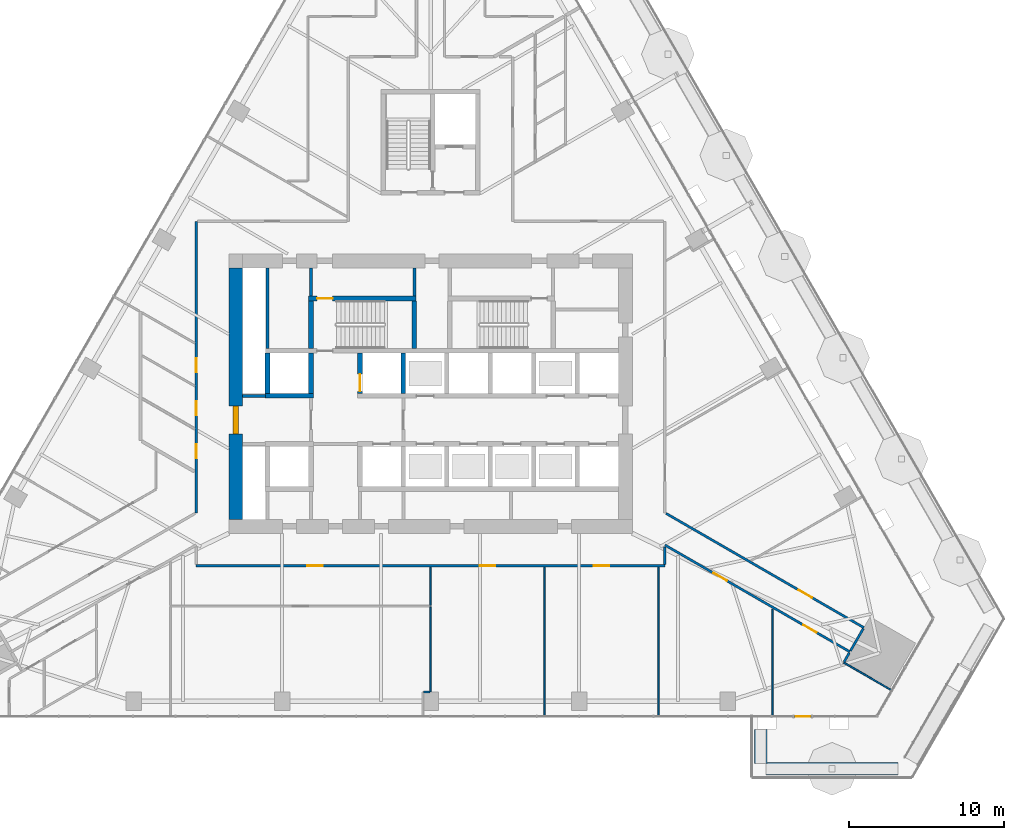
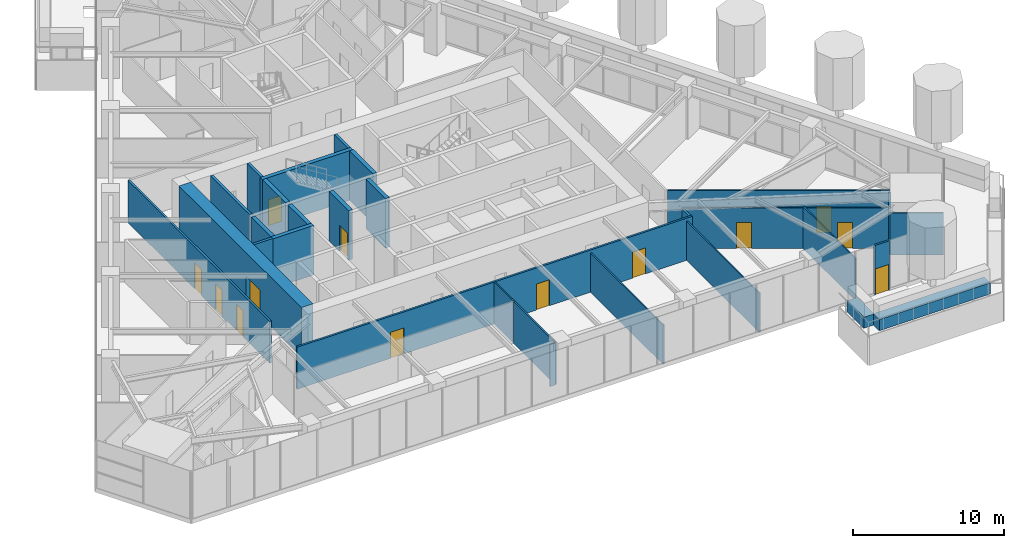
# One storey, part 18 of 26: 30 walls, 13 doors, 13 openings, 1 element without a shape of its own.
"""IFC4 building model written with IfcOpenShell, lengths in metres."""

from ifc_helpers import new_model, si_unit, direction, frame, frame_2d, origin, place, context, subcontext, project, spatial, rectangle, extrude, material, layer, layer_set, type_object, element, fill, aggregate, save


model = new_model("IFC4")

# Units and contexts
model_context = context("Model", 3, precision=1e-05, world=origin(), true_north=direction((0.0, 1.0)))
body_context = subcontext(model_context, "Body", "Model", "MODEL_VIEW")
ifc_project = project(units=[si_unit("LENGTHUNIT", "METRE"), si_unit("AREAUNIT", "SQUARE_METRE"), si_unit("VOLUMEUNIT", "CUBIC_METRE"), si_unit("PLANEANGLEUNIT", "RADIAN"), si_unit("MASSUNIT", "GRAM", prefix="KILO")], contexts=[model_context])

# Site, building, storey
site_placement = place(None, origin())
site = spatial("IfcSite", under=ifc_project, at=site_placement, CompositionType="ELEMENT")
building_placement = place(site_placement, origin())
building = spatial("IfcBuilding", under=site, at=building_placement, Name="Firuza Gate Tower and Library", CompositionType="ELEMENT")
storey_placement = place(building_placement, frame((0.0, 0.0, 52.60009765625)))
storey = spatial("IfcBuildingStorey", under=building, at=storey_placement, Name="L11", CompositionType="ELEMENT", Elevation=52.60009765625)

# Walls
ifc_material_1 = material(Name="Plasterboard on steel studs", Category="steel")
ifc_layer_1 = layer(ifc_material_1, 0.199951171875)
ifc_layer_set_1 = layer_set([ifc_layer_1], Name="Core partition 200 EI 120")
wall_type_1 = type_object("IfcWallType", Name="Core partition 200 EI 120", PredefinedType="PARTITIONING", material=ifc_layer_set_1)
wall_1_placement = place(storey_placement, frame((62.89990234375, 74.85009765625, 0.0), z_axis=(0.0, 0.0, 1.0), x_axis=(1.0, 0.0, 0.0)))
element("IfcWall", 1, at=wall_1_placement, inside=storey, type_object=wall_type_1, Name="Core partition L11 3", PredefinedType="PARTITIONING", context=body_context, shape_type="SweptSolid", body=[
    extrude(rectangle(XDim=1.4501953125, YDim=0.199951171875, at=frame_2d((0.72509765625, 0.0))), origin(), (0.0, 0.0, 1.0), 4.0),
])
wall_2_placement = place(storey_placement, frame((64.5, 77.89990234375, 0.0), z_axis=(0.0, 0.0, 1.0), x_axis=(0.0, 1.0, 0.0)))
element("IfcWall", 2, at=wall_2_placement, inside=storey, type_object=wall_type_1, Name="Core partition L11 6", PredefinedType="PARTITIONING", context=body_context, shape_type="SweptSolid", body=[
    extrude(rectangle(XDim=5.2001953125, YDim=0.199951171875, at=frame_2d((2.60009765625, 0.0))), origin(), (0.0, 0.0, 1.0), 4.0),
])
ifc_material_2 = material(Name="Plasterboard on steel studs", Category="steel")
ifc_layer_2 = layer(ifc_material_2, 0.199951171875)
ifc_layer_set_2 = layer_set([ifc_layer_2], Name="Core partition 200 EI 60")
wall_type_2 = type_object("IfcWallType", Name="Core partition 200 EI 60", PredefinedType="PARTITIONING", material=ifc_layer_set_2)
for number, where, z_axis, x_axis, name in (
    (3, (67.300048828125, 81.280029296875, 0.0), (0.0, 0.0, 1.0), (0.0, 1.0, 0.0), "Core partition L11 9"),
    (4, (73.9599609375, 81.280029296875, 0.0), (0.0, 0.0, 1.0), (0.0, 1.0, 0.0), "Core partition L11 13"),
):
    element("IfcWall", number, at=place(storey_placement, frame(where, z_axis=z_axis, x_axis=x_axis)), inside=storey, type_object=wall_type_2, Name=name, PredefinedType="PARTITIONING", context=body_context, shape_type="SweptSolid", body=[
        extrude(rectangle(XDim=1.820068359375, YDim=0.199951171875, at=frame_2d((0.91015625, 0.0))), origin(), (0.0, 0.0, 1.0), 4.0),
    ])
ifc_material_3 = material(Name="Concrete C80/95", Category="concrete")
ifc_layer_3 = layer(ifc_material_3, 0.300048828125)
ifc_layer_set_3 = layer_set([ifc_layer_3], Name="Core wall 300 C80/95")
wall_type_3 = type_object("IfcWallType", Name="Core wall 300 C80/95", PredefinedType="SHEAR", material=ifc_layer_set_3)
wall_3_placement = place(storey_placement, frame((64.35009765625, 74.85009765625, 0.0), z_axis=(0.0, 0.0, 1.0), x_axis=(1.0, 0.0, 0.0)))
element("IfcWall", 5, at=wall_3_placement, inside=storey, type_object=wall_type_3, Name="Core wall L11 9", PredefinedType="SHEAR", context=body_context, shape_type="SweptSolid", body=[
    extrude(rectangle(XDim=3.099853515625, YDim=0.300048828125, at=frame_2d((1.5498046875, 0.0))), origin(), (0.0, 0.0, 1.0), 4.0),
])
for number, where, z_axis, x_axis, name in (
    (6, (64.5, 75.0, 0.0), (0.0, 0.0, 1.0), (0.0, 1.0, 0.0), "Core wall L11 12"),
    (7, (67.300048828125, 75.0, 0.0), (0.0, 0.0, 1.0), (0.0, 1.0, 0.0), "Core wall L11 14"),
):
    element("IfcWall", number, at=place(storey_placement, frame(where, z_axis=z_axis, x_axis=x_axis)), inside=storey, type_object=wall_type_3, Name=name, PredefinedType="SHEAR", context=body_context, shape_type="SweptSolid", body=[
        extrude(rectangle(XDim=2.60009765625, YDim=0.300048828125, at=frame_2d((1.300048828125, 0.0))), origin(), (0.0, 0.0, 1.0), 4.0),
    ])

# Wall, opening, door
wall_4_placement = place(storey_placement, frame((70.449951171875, 75.0, 0.0), z_axis=(0.0, 0.0, 1.0), x_axis=(0.0, 1.0, 0.0)))
wall_4 = element("IfcWall", 8, at=wall_4_placement, inside=storey, type_object=wall_type_3, Name="Core wall L11 16", PredefinedType="SHEAR", context=body_context, shape_type="SweptSolid", body=[
    extrude(rectangle(XDim=2.60009765625, YDim=0.300048828125, at=frame_2d((1.300048828125, 0.0))), origin(), (0.0, 0.0, 1.0), 4.0),
])
opening_1_placement = place(wall_4_placement, frame((0.14990234375, 0.0, 0.0)))
opening_1 = element("IfcOpeningElement", 9, at=opening_1_placement, cuts=wall_4, Name="Opening LD-FF2-L11", PredefinedType="OPENING", context=body_context, shape_type="SweptSolid", body=[
    extrude(rectangle(XDim=1.10009765625, YDim=2.10009765625, at=frame_2d((0.550048828125, 1.050048828125))), frame((0.0, 0.16015625, 0.0), z_axis=(0.0, -1.0, 0.0), x_axis=(1.0, 0.0, 0.0)), (0.0, 0.0, 1.0), 0.320068359375),
])
ifc_material_4 = material(Name="Stainless steel", Category="steel")
door_type_1 = type_object("IfcDoorType", Name="Lift landing door 1100x2100", OperationType="DOUBLE_DOOR_SLIDING", PredefinedType="DOOR", material=ifc_material_4)
door_1_placement = place(opening_1_placement, origin())
door_1 = element("IfcDoor", 10, at=door_1_placement, inside=storey, type_object=door_type_1, Name="Landing door FF2 L11", OperationType="DOUBLE_DOOR_SLIDING", OverallHeight=2.10009765625, OverallWidth=1.10009765625, PredefinedType="DOOR", context=body_context, shape_type="SweptSolid", body=[
    extrude(rectangle(XDim=1.10009765625, YDim=2.10009765625, at=frame_2d((0.550048828125, 1.050048828125))), frame((0.0, 0.02490234375, 0.0), z_axis=(0.0, -1.0, 0.0), x_axis=(1.0, 0.0, 0.0)), (0.0, 0.0, 1.0), 0.050048828125),
])
fill(opening_1, door_1)

# Wall
wall_5_placement = place(storey_placement, frame((73.25, 75.0, 0.0), z_axis=(0.0, 0.0, 1.0), x_axis=(0.0, 1.0, 0.0)))
element("IfcWall", 11, at=wall_5_placement, inside=storey, type_object=wall_type_3, Name="Core wall L11 18", PredefinedType="SHEAR", context=body_context, shape_type="SweptSolid", body=[
    extrude(rectangle(XDim=2.60009765625, YDim=0.300048828125, at=frame_2d((1.300048828125, 0.0))), origin(), (0.0, 0.0, 1.0), 4.0),
])

# Wall, opening, door
wall_6_placement = place(storey_placement, frame((67.14990234375, 81.1298828125, 0.0), z_axis=(0.0, 0.0, 1.0), x_axis=(1.0, 0.0, 0.0)))
wall_6 = element("IfcWall", 12, at=wall_6_placement, inside=storey, type_object=wall_type_3, Name="Core wall L11 28", PredefinedType="SHEAR", context=body_context, shape_type="SweptSolid", body=[
    extrude(rectangle(XDim=6.91015625, YDim=0.300048828125, at=frame_2d((3.455078125, 0.0))), origin(), (0.0, 0.0, 1.0), 4.0),
])
opening_2_placement = place(wall_6_placement, frame((0.544921875, 0.0, 0.0)))
opening_2 = element("IfcOpeningElement", 13, at=opening_2_placement, cuts=wall_6, Name="Opening L11-K13", PredefinedType="OPENING", context=body_context, shape_type="SweptSolid", body=[
    extrude(rectangle(XDim=1.0, YDim=2.10009765625, at=frame_2d((0.5, 1.050048828125))), frame((0.0, 0.16015625, 0.0), z_axis=(0.0, -1.0, 0.0), x_axis=(1.0, 0.0, 0.0)), (0.0, 0.0, 1.0), 0.320068359375),
])
ifc_material_5 = material(Name="Steel", Category="steel")
door_type_2 = type_object("IfcDoorType", Name="Fire door 1000x2100 FD90", OperationType="NOTDEFINED", PredefinedType="DOOR", material=ifc_material_5)
door_2_placement = place(opening_2_placement, origin())
door_2 = element("IfcDoor", 14, at=door_2_placement, inside=storey, type_object=door_type_2, Name="Door L11-K13", OperationType="SINGLE_SWING_RIGHT", OverallHeight=2.10009765625, OverallWidth=1.0, PredefinedType="DOOR", context=body_context, shape_type="SweptSolid", body=[
    extrude(rectangle(XDim=1.0, YDim=2.10009765625, at=frame_2d((0.5, 1.050048828125))), frame((0.0, 0.02490234375, 0.0), z_axis=(0.0, -1.0, 0.0), x_axis=(1.0, 0.0, 0.0)), (0.0, 0.0, 1.0), 0.050048828125),
])
fill(opening_2, door_2)

# Walls
for number, where, z_axis, x_axis, name in (
    (15, (67.300048828125, 77.89990234375, 0.0), (0.0, 0.0, 1.0), (0.0, 1.0, 0.0), "Core wall L11 30"),
    (16, (73.9599609375, 77.89990234375, 0.0), (0.0, 0.0, 1.0), (0.0, 1.0, 0.0), "Core wall L11 31"),
):
    element("IfcWall", number, at=place(storey_placement, frame(where, z_axis=z_axis, x_axis=x_axis)), inside=storey, type_object=wall_type_3, Name=name, PredefinedType="SHEAR", context=body_context, shape_type="SweptSolid", body=[
        extrude(rectangle(XDim=3.080078125, YDim=0.300048828125, at=frame_2d((1.5400390625, 0.0))), origin(), (0.0, 0.0, 1.0), 4.0),
    ])

# Wall, opening, door
ifc_material_6 = material(Name="Concrete C80/95", Category="concrete")
ifc_layer_4 = layer(ifc_material_6, 0.89990234375)
ifc_layer_set_4 = layer_set([ifc_layer_4], Name="Core wall 900 C80/95")
wall_type_4 = type_object("IfcWallType", Name="Core wall 900 C80/95", PredefinedType="SHEAR", material=ifc_layer_set_4)
wall_7_placement = place(storey_placement, frame((62.449951171875, 66.89990234375, 0.0), z_axis=(0.0, 0.0, 1.0), x_axis=(0.0, 1.0, 0.0)))
wall_7 = element("IfcWall", 17, at=wall_7_placement, inside=storey, type_object=wall_type_4, Name="Core wall L11 3", PredefinedType="SHEAR", context=body_context, shape_type="SweptSolid", body=[
    extrude(rectangle(XDim=16.2001953125, YDim=0.89990234375, at=frame_2d((8.10009765625, 0.0))), origin(), (0.0, 0.0, 1.0), 4.0),
])
opening_3_placement = place(wall_7_placement, frame((5.5, 0.0, 0.0)))
opening_3 = element("IfcOpeningElement", 18, at=opening_3_placement, cuts=wall_7, Name="Opening L11-K22", PredefinedType="OPENING", context=body_context, shape_type="SweptSolid", body=[
    extrude(rectangle(XDim=1.800048828125, YDim=2.10009765625, at=frame_2d((0.89990234375, 1.050048828125))), frame((0.0, 0.4599609375, 0.0), z_axis=(0.0, -1.0, 0.0), x_axis=(1.0, 0.0, 0.0)), (0.0, 0.0, 1.0), 0.919921875),
])
ifc_material_7 = material(Name="Steel", Category="steel")
door_type_3 = type_object("IfcDoorType", Name="Fire door 1800x2100 FD30S", OperationType="NOTDEFINED", PredefinedType="DOOR", material=ifc_material_7)
door_3_placement = place(opening_3_placement, origin())
door_3 = element("IfcDoor", 19, at=door_3_placement, inside=storey, type_object=door_type_3, Name="Door L11-K22", OperationType="SINGLE_SWING_LEFT", OverallHeight=2.10009765625, OverallWidth=1.800048828125, PredefinedType="DOOR", context=body_context, shape_type="SweptSolid", body=[
    extrude(rectangle(XDim=1.800048828125, YDim=2.10009765625, at=frame_2d((0.89990234375, 1.050048828125))), frame((0.0, 0.169921875, 0.0), z_axis=(0.0, -1.0, 0.0), x_axis=(1.0, 0.0, 0.0)), (0.0, 0.0, 1.0), 0.33984375),
])
fill(opening_3, door_3)

# Wall, openings, doors
ifc_material_8 = material(Name="Gypsum board partition")
ifc_layer_5 = layer(ifc_material_8, 0.14990234375)
ifc_layer_set_5 = layer_set([ifc_layer_5], Name="Corridor wall 150 double board on steel studs")
wall_type_5 = type_object("IfcWallType", Name="Corridor wall 150 double board on steel studs", PredefinedType="PARTITIONING", material=ifc_layer_set_5)
wall_8_placement = place(storey_placement, frame((90.099609375, 63.89990234375, 0.0), z_axis=(0.0, 0.0, 1.0), x_axis=(-1.0, 0.0, 0.0)))
wall_8 = element("IfcWall", 20, at=wall_8_placement, inside=storey, type_object=wall_type_5, Name="f:L11:w002", PredefinedType="PARTITIONING", context=body_context, shape_type="SweptSolid", body=[
    extrude(rectangle(XDim=30.19970703125, YDim=0.14990234375, at=frame_2d((15.099853515625, 0.0))), origin(), (0.0, 0.0, 1.0), 3.39990234375),
])
opening_4_placement = place(wall_8_placement, frame((3.57763671875, 0.0, 0.0)))
opening_4 = element("IfcOpeningElement", 21, at=opening_4_placement, cuts=wall_8, Name="Opening L11-02", PredefinedType="OPENING", context=body_context, shape_type="SweptSolid", body=[
    extrude(rectangle(XDim=1.0, YDim=2.10009765625, at=frame_2d((0.5, 1.050048828125))), frame((0.0, 0.0849609375, 0.0), z_axis=(0.0, -1.0, 0.0), x_axis=(1.0, 0.0, 0.0)), (0.0, 0.0, 1.0), 0.169921875),
])
opening_5_placement = place(wall_8_placement, frame((10.925537109375, 0.0, 0.0)))
opening_5 = element("IfcOpeningElement", 22, at=opening_5_placement, cuts=wall_8, Name="Opening L11-03", PredefinedType="OPENING", context=body_context, shape_type="SweptSolid", body=[
    extrude(rectangle(XDim=1.0, YDim=2.10009765625, at=frame_2d((0.5, 1.050048828125))), frame((0.0, 0.0849609375, 0.0), z_axis=(0.0, -1.0, 0.0), x_axis=(1.0, 0.0, 0.0)), (0.0, 0.0, 1.0), 0.169921875),
])
opening_6_placement = place(wall_8_placement, frame((22.048095703125, 0.0, 0.0)))
opening_6 = element("IfcOpeningElement", 23, at=opening_6_placement, cuts=wall_8, Name="Opening L11-04", PredefinedType="OPENING", context=body_context, shape_type="SweptSolid", body=[
    extrude(rectangle(XDim=1.0, YDim=2.10009765625, at=frame_2d((0.5, 1.050048828125))), frame((0.0, 0.0849609375, 0.0), z_axis=(0.0, -1.0, 0.0), x_axis=(1.0, 0.0, 0.0)), (0.0, 0.0, 1.0), 0.169921875),
])
ifc_material_9 = material(Name="Steel door and timber leaf", Category="steel")
door_type_4 = type_object("IfcDoorType", Name="Fire door 1000 x 2100 steel frame, timber leaf", OperationType="NOTDEFINED", PredefinedType="DOOR", material=ifc_material_9)
door_4_placement = place(opening_4_placement, origin())
door_4 = element("IfcDoor", 24, at=door_4_placement, inside=storey, type_object=door_type_4, Name="f:L11:d002", OperationType="SINGLE_SWING_RIGHT", OverallHeight=2.10009765625, OverallWidth=1.0, PredefinedType="DOOR", context=body_context, shape_type="SweptSolid", body=[
    extrude(rectangle(XDim=1.0, YDim=2.10009765625, at=frame_2d((0.5, 1.050048828125))), frame((0.0, 0.02490234375, 0.0), z_axis=(0.0, -1.0, 0.0), x_axis=(1.0, 0.0, 0.0)), (0.0, 0.0, 1.0), 0.050048828125),
])
fill(opening_4, door_4)
door_5_placement = place(opening_5_placement, origin())
door_5 = element("IfcDoor", 25, at=door_5_placement, inside=storey, type_object=door_type_4, Name="f:L11:d003", OperationType="SINGLE_SWING_LEFT", OverallHeight=2.10009765625, OverallWidth=1.0, PredefinedType="DOOR", context=body_context, shape_type="SweptSolid", body=[
    extrude(rectangle(XDim=1.0, YDim=2.10009765625, at=frame_2d((0.5, 1.050048828125))), frame((0.0, 0.02490234375, 0.0), z_axis=(0.0, -1.0, 0.0), x_axis=(1.0, 0.0, 0.0)), (0.0, 0.0, 1.0), 0.050048828125),
])
fill(opening_5, door_5)
door_6_placement = place(opening_6_placement, origin())
door_6 = element("IfcDoor", 26, at=door_6_placement, inside=storey, type_object=door_type_4, Name="f:L11:d004", OperationType="SINGLE_SWING_RIGHT", OverallHeight=2.10009765625, OverallWidth=1.0, PredefinedType="DOOR", context=body_context, shape_type="SweptSolid", body=[
    extrude(rectangle(XDim=1.0, YDim=2.10009765625, at=frame_2d((0.5, 1.050048828125))), frame((0.0, 0.02490234375, 0.0), z_axis=(0.0, -1.0, 0.0), x_axis=(1.0, 0.0, 0.0)), (0.0, 0.0, 1.0), 0.050048828125),
])
fill(opening_6, door_6)

# Walls
wall_9_placement = place(storey_placement, frame((101.645751953125, 57.71142578125, 0.0), z_axis=(0.0, 0.0, 1.0), x_axis=(0.499837337514, 0.866119296648, 0.0)))
element("IfcWall", 27, at=wall_9_placement, inside=storey, type_object=wall_type_5, Name="f:L11:w027", PredefinedType="PARTITIONING", context=body_context, shape_type="SweptSolid", body=[
    extrude(rectangle(XDim=0.674560546875, YDim=0.14990234375, at=frame_2d((0.33740234375, 0.0))), origin(), (0.0, 0.0, 1.0), 3.39990234375),
])
wall_10_placement = place(storey_placement, frame((90.10009765625, 63.9755859375, 0.0), z_axis=(0.0, 0.0, 1.0), x_axis=(0.0, 1.0, 0.0)))
element("IfcWall", 28, at=wall_10_placement, inside=storey, type_object=wall_type_5, Name="f:L11:w029", PredefinedType="PARTITIONING", context=body_context, shape_type="SweptSolid", body=[
    extrude(rectangle(XDim=1.130615234375, YDim=0.14990234375, at=frame_2d((0.5654296875, 0.0))), origin(), (0.0, 0.0, 1.0), 3.246826171875),
])

# Wall, openings, doors
wall_11_placement = place(storey_placement, frame((59.89990234375, 67.3212890625, 0.0), z_axis=(0.0, 0.0, 1.0), x_axis=(0.0, 1.0, 0.0)))
wall_11 = element("IfcWall", 29, at=wall_11_placement, inside=storey, type_object=wall_type_5, Name="f:L11:w047", PredefinedType="PARTITIONING", context=body_context, shape_type="SweptSolid", body=[
    extrude(rectangle(XDim=18.7783203125, YDim=0.14990234375, at=frame_2d((9.38916015625, 0.0))), origin(), (0.0, 0.0, 1.0), 3.39990234375),
])
opening_7_placement = place(wall_11_placement, frame((3.518798828125, 0.0, 0.0)))
opening_7 = element("IfcOpeningElement", 30, at=opening_7_placement, cuts=wall_11, Name="Opening L11-27", PredefinedType="OPENING", context=body_context, shape_type="SweptSolid", body=[
    extrude(rectangle(XDim=0.89990234375, YDim=2.10009765625, at=frame_2d((0.449951171875, 1.050048828125))), frame((0.0, 0.0849609375, 0.0), z_axis=(0.0, -1.0, 0.0), x_axis=(1.0, 0.0, 0.0)), (0.0, 0.0, 1.0), 0.169921875),
])
opening_8_placement = place(wall_11_placement, frame((6.280517578125, 0.0, 0.0)))
opening_8 = element("IfcOpeningElement", 31, at=opening_8_placement, cuts=wall_11, Name="Opening L11-28", PredefinedType="OPENING", context=body_context, shape_type="SweptSolid", body=[
    extrude(rectangle(XDim=0.89990234375, YDim=2.10009765625, at=frame_2d((0.449951171875, 1.050048828125))), frame((0.0, 0.0849609375, 0.0), z_axis=(0.0, -1.0, 0.0), x_axis=(1.0, 0.0, 0.0)), (0.0, 0.0, 1.0), 0.169921875),
])
opening_9_placement = place(wall_11_placement, frame((9.04248046875, 0.0, 0.0)))
opening_9 = element("IfcOpeningElement", 32, at=opening_9_placement, cuts=wall_11, Name="Opening L11-29", PredefinedType="OPENING", context=body_context, shape_type="SweptSolid", body=[
    extrude(rectangle(XDim=0.89990234375, YDim=2.10009765625, at=frame_2d((0.449951171875, 1.050048828125))), frame((0.0, 0.0849609375, 0.0), z_axis=(0.0, -1.0, 0.0), x_axis=(1.0, 0.0, 0.0)), (0.0, 0.0, 1.0), 0.169921875),
])
ifc_material_10 = material(Name="Steel door and timber leaf", Category="steel")
door_type_5 = type_object("IfcDoorType", Name="Fire door 900 x 2100 steel frame, timber leaf", OperationType="NOTDEFINED", PredefinedType="DOOR", material=ifc_material_10)
door_7_placement = place(opening_7_placement, origin())
door_7 = element("IfcDoor", 33, at=door_7_placement, inside=storey, type_object=door_type_5, Name="f:L11:d027", OperationType="SINGLE_SWING_LEFT", OverallHeight=2.10009765625, OverallWidth=0.89990234375, PredefinedType="DOOR", context=body_context, shape_type="SweptSolid", body=[
    extrude(rectangle(XDim=0.89990234375, YDim=2.10009765625, at=frame_2d((0.449951171875, 1.050048828125))), frame((0.0, 0.02490234375, 0.0), z_axis=(0.0, -1.0, 0.0), x_axis=(1.0, 0.0, 0.0)), (0.0, 0.0, 1.0), 0.050048828125),
])
fill(opening_7, door_7)
door_8_placement = place(opening_8_placement, origin())
door_8 = element("IfcDoor", 34, at=door_8_placement, inside=storey, type_object=door_type_5, Name="f:L11:d028", OperationType="SINGLE_SWING_RIGHT", OverallHeight=2.10009765625, OverallWidth=0.89990234375, PredefinedType="DOOR", context=body_context, shape_type="SweptSolid", body=[
    extrude(rectangle(XDim=0.89990234375, YDim=2.10009765625, at=frame_2d((0.449951171875, 1.050048828125))), frame((0.0, 0.02490234375, 0.0), z_axis=(0.0, -1.0, 0.0), x_axis=(1.0, 0.0, 0.0)), (0.0, 0.0, 1.0), 0.050048828125),
])
fill(opening_8, door_8)
door_9_placement = place(opening_9_placement, origin())
door_9 = element("IfcDoor", 35, at=door_9_placement, inside=storey, type_object=door_type_5, Name="f:L11:d029", OperationType="SINGLE_SWING_LEFT", OverallHeight=2.10009765625, OverallWidth=0.89990234375, PredefinedType="DOOR", context=body_context, shape_type="SweptSolid", body=[
    extrude(rectangle(XDim=0.89990234375, YDim=2.10009765625, at=frame_2d((0.449951171875, 1.050048828125))), frame((0.0, 0.02490234375, 0.0), z_axis=(0.0, -1.0, 0.0), x_axis=(1.0, 0.0, 0.0)), (0.0, 0.0, 1.0), 0.050048828125),
])
fill(opening_9, door_9)

# Wall, opening, door
wall_12_placement = place(storey_placement, frame((90.175048828125, 67.278076171875, 0.0), z_axis=(0.0, 0.0, 1.0), x_axis=(0.866025356753, -0.50000008146, 0.0)))
wall_12 = element("IfcWall", 36, at=wall_12_placement, inside=storey, type_object=wall_type_5, Name="f:L11:w060", PredefinedType="PARTITIONING", context=body_context, shape_type="SweptSolid", body=[
    extrude(rectangle(XDim=14.716796875, YDim=0.14990234375, at=frame_2d((7.3583984375, 0.0))), origin(), (0.0, 0.0, 1.0), 3.39990234375),
])
opening_10_placement = place(wall_12_placement, frame((9.861328125, 0.0, 0.0)))
opening_10 = element("IfcOpeningElement", 37, at=opening_10_placement, cuts=wall_12, Name="Opening L11-31", PredefinedType="OPENING", context=body_context, shape_type="SweptSolid", body=[
    extrude(rectangle(XDim=1.0, YDim=2.10009765625, at=frame_2d((0.5, 1.050048828125))), frame((0.0, 0.0849609375, 0.0), z_axis=(0.0, -1.0, 0.0), x_axis=(1.0, 0.0, 0.0)), (0.0, 0.0, 1.0), 0.169921875),
])
door_10_placement = place(opening_10_placement, origin())
door_10 = element("IfcDoor", 38, at=door_10_placement, inside=storey, type_object=door_type_4, Name="f:L11:d031", OperationType="SINGLE_SWING_LEFT", OverallHeight=2.10009765625, OverallWidth=1.0, PredefinedType="DOOR", context=body_context, shape_type="SweptSolid", body=[
    extrude(rectangle(XDim=1.0, YDim=2.10009765625, at=frame_2d((0.5, 1.050048828125))), frame((0.0, 0.02490234375, 0.0), z_axis=(0.0, -1.0, 0.0), x_axis=(1.0, 0.0, 0.0)), (0.0, 0.0, 1.0), 0.050048828125),
])
fill(opening_10, door_10)

# Wall, openings, doors
wall_13_placement = place(storey_placement, frame((102.020751953125, 58.360595703125, 0.0), z_axis=(0.0, 0.0, 1.0), x_axis=(-0.866027566471, 0.499996254098, 0.0)))
wall_13 = element("IfcWall", 39, at=wall_13_placement, inside=storey, type_object=wall_type_5, Name="f:L11:w061", PredefinedType="PARTITIONING", context=body_context, shape_type="SweptSolid", body=[
    extrude(rectangle(XDim=13.7646484375, YDim=0.14990234375, at=frame_2d((6.88232421875, 0.0))), origin(), (0.0, 0.0, 1.0), 3.246826171875),
])
opening_11_placement = place(wall_13_placement, frame((2.474853515625, 0.0, 0.0)))
opening_11 = element("IfcOpeningElement", 40, at=opening_11_placement, cuts=wall_13, Name="Opening L11-32", PredefinedType="OPENING", context=body_context, shape_type="SweptSolid", body=[
    extrude(rectangle(XDim=1.0, YDim=2.10009765625, at=frame_2d((0.5, 1.050048828125))), frame((0.0, 0.0849609375, 0.0), z_axis=(0.0, -1.0, 0.0), x_axis=(1.0, 0.0, 0.0)), (0.0, 0.0, 1.0), 0.169921875),
])
opening_12_placement = place(wall_13_placement, frame((9.15380859375, 0.0, 0.0)))
opening_12 = element("IfcOpeningElement", 41, at=opening_12_placement, cuts=wall_13, Name="Opening L11-33", PredefinedType="OPENING", context=body_context, shape_type="SweptSolid", body=[
    extrude(rectangle(XDim=1.0, YDim=2.10009765625, at=frame_2d((0.5, 1.050048828125))), frame((0.0, 0.0849609375, 0.0), z_axis=(0.0, -1.0, 0.0), x_axis=(1.0, 0.0, 0.0)), (0.0, 0.0, 1.0), 0.169921875),
])
door_11_placement = place(opening_11_placement, origin())
door_11 = element("IfcDoor", 42, at=door_11_placement, inside=storey, type_object=door_type_4, Name="f:L11:d032", OperationType="SINGLE_SWING_LEFT", OverallHeight=2.10009765625, OverallWidth=1.0, PredefinedType="DOOR", context=body_context, shape_type="SweptSolid", body=[
    extrude(rectangle(XDim=1.0, YDim=2.10009765625, at=frame_2d((0.5, 1.050048828125))), frame((0.0, 0.02490234375, 0.0), z_axis=(0.0, -1.0, 0.0), x_axis=(1.0, 0.0, 0.0)), (0.0, 0.0, 1.0), 0.050048828125),
])
fill(opening_11, door_11)
door_12_placement = place(opening_12_placement, origin())
door_12 = element("IfcDoor", 43, at=door_12_placement, inside=storey, type_object=door_type_4, Name="f:L11:d033", OperationType="SINGLE_SWING_RIGHT", OverallHeight=2.10009765625, OverallWidth=1.0, PredefinedType="DOOR", context=body_context, shape_type="SweptSolid", body=[
    extrude(rectangle(XDim=1.0, YDim=2.10009765625, at=frame_2d((0.5, 1.050048828125))), frame((0.0, 0.02490234375, 0.0), z_axis=(0.0, -1.0, 0.0), x_axis=(1.0, 0.0, 0.0)), (0.0, 0.0, 1.0), 0.050048828125),
])
fill(opening_12, door_12)

# Walls
wall_14_placement = place(storey_placement, frame((102.057861328125, 58.425537109375, 0.0), z_axis=(0.0, 0.0, 1.0), x_axis=(0.499991515992, 0.866030301974, 0.0)))
element("IfcWall", 44, at=wall_14_placement, inside=storey, type_object=wall_type_5, Name="f:L11:w076", PredefinedType="PARTITIONING", context=body_context, shape_type="SweptSolid", body=[
    extrude(rectangle(XDim=1.6494140625, YDim=0.14990234375, at=frame_2d((0.82470703125, 0.0))), origin(), (0.0, 0.0, 1.0), 3.246826171875),
])
ifc_material_11 = material(Name="Gypsum board partition")
ifc_layer_6 = layer(ifc_material_11, 0.10009765625)
ifc_layer_set_6 = layer_set([ifc_layer_6], Name="Partition 100 gypsum board on steel studs")
wall_type_6 = type_object("IfcWallType", Name="Partition 100 gypsum board on steel studs", PredefinedType="PARTITIONING", material=ifc_layer_set_6)
wall_15_placement = place(storey_placement, frame((74.550537109375, 55.77197265625, 0.0), z_axis=(0.0, 0.0, 1.0), x_axis=(1.0, 0.0, 0.0)))
element("IfcWall", 45, at=wall_15_placement, inside=storey, type_object=wall_type_6, Name="f:L11:w000", PredefinedType="PARTITIONING", context=body_context, shape_type="SweptSolid", body=[
    extrude(rectangle(XDim=0.39892578125, YDim=0.10009765625, at=frame_2d((0.199462890625, 0.0))), origin(), (0.0, 0.0, 1.0), 3.39990234375),
])
wall_16_placement = place(storey_placement, frame((97.0439453125, 54.212158203125, 0.0), z_axis=(0.0, 0.0, 1.0), x_axis=(0.0, 1.0, 0.0)))
element("IfcWall", 46, at=wall_16_placement, inside=storey, type_object=wall_type_6, Name="f:L11:w028", PredefinedType="PARTITIONING", context=body_context, shape_type="SweptSolid", body=[
    extrude(rectangle(XDim=6.905029296875, YDim=0.10009765625, at=frame_2d((3.45263671875, 0.0))), origin(), (0.0, 0.0, 1.0), 3.39990234375),
])
for number, where, z_axis, x_axis, name in (
    (47, (89.696044921875, 54.212158203125, 0.0), (0.0, 0.0, 1.0), (0.0, 1.0, 0.0), "f:L11:w031"),
    (48, (82.347900390625, 54.212158203125, 0.0), (0.0, 0.0, 1.0), (0.0, 1.0, 0.0), "f:L11:w033"),
):
    element("IfcWall", number, at=place(storey_placement, frame(where, z_axis=z_axis, x_axis=x_axis)), inside=storey, type_object=wall_type_6, Name=name, PredefinedType="PARTITIONING", context=body_context, shape_type="SweptSolid", body=[
        extrude(rectangle(XDim=9.61279296875, YDim=0.10009765625, at=frame_2d((4.806396484375, 0.0))), origin(), (0.0, 0.0, 1.0), 3.164794921875),
    ])
wall_17_placement = place(storey_placement, frame((75.0, 55.772705078125, 0.0), z_axis=(0.0, 0.0, 1.0), x_axis=(0.0, 1.0, 0.0)))
element("IfcWall", 49, at=wall_17_placement, inside=storey, type_object=wall_type_6, Name="f:L11:w040", PredefinedType="PARTITIONING", context=body_context, shape_type="SweptSolid", body=[
    extrude(rectangle(XDim=5.477294921875, YDim=0.10009765625, at=frame_2d((2.73876953125, 0.0))), origin(), (0.0, 0.0, 1.0), 3.39990234375),
])
wall_18_placement = place(storey_placement, frame((104.70361328125, 55.8876953125, 0.0), z_axis=(0.0, 0.0, 1.0), x_axis=(-0.866014251095, 0.500019316528, 0.0)))
element("IfcWall", 50, at=wall_18_placement, inside=storey, type_object=wall_type_6, Name="f:L11:w062", PredefinedType="PARTITIONING", context=body_context, shape_type="SweptSolid", body=[
    extrude(rectangle(XDim=3.559326171875, YDim=0.10009765625, at=frame_2d((1.77978515625, 0.0))), origin(), (0.0, 0.0, 1.0), 3.39990234375),
])
wall_19_placement = place(storey_placement, frame((75.0, 61.35009765625, 0.0), z_axis=(0.0, 0.0, 1.0), x_axis=(0.0, 1.0, 0.0)))
element("IfcWall", 51, at=wall_19_placement, inside=storey, type_object=wall_type_6, Name="f:L11:w069", PredefinedType="PARTITIONING", context=body_context, shape_type="SweptSolid", body=[
    extrude(rectangle(XDim=2.474853515625, YDim=0.10009765625, at=frame_2d((1.2373046875, 0.0))), origin(), (0.0, 0.0, 1.0), 3.39990234375),
])
ifc_material_12 = material(Name="Concrete C40/50", Category="concrete")
ifc_layer_7 = layer(ifc_material_12, 0.800048828125)
ifc_layer_set_7 = layer_set([ifc_layer_7], Name="Planter wall 800")
wall_type_7 = type_object("IfcWallType", Name="Planter wall 800", PredefinedType="SOLIDWALL", material=ifc_layer_set_7)
wall_20_placement = place(storey_placement, frame((96.27783203125, 53.3720703125, 0.0), z_axis=(0.0, 0.0, 1.0), x_axis=(0.0, -1.0, 0.0)))
element("IfcWall", 52, at=wall_20_placement, inside=storey, type_object=wall_type_7, Name="PLANTER L11 1", PredefinedType="SOLIDWALL", context=body_context, shape_type="SweptSolid", body=[
    extrude(rectangle(XDim=2.199951171875, YDim=0.800048828125, at=frame_2d((1.10009765625, 0.0))), origin(), (0.0, 0.0, 1.0), 0.89990234375),
])
wall_21_placement = place(storey_placement, frame((96.6279296875, 50.822265625, 0.0), z_axis=(0.0, 0.0, 1.0), x_axis=(1.0, 0.0, 0.0)))
element("IfcWall", 53, at=wall_21_placement, inside=storey, type_object=wall_type_7, Name="PLANTER L11 2", PredefinedType="SOLIDWALL", context=body_context, shape_type="SweptSolid", body=[
    extrude(rectangle(XDim=8.483154296875, YDim=0.800048828125, at=frame_2d((4.24169921875, 0.0))), origin(), (0.0, 0.0, 1.0), 0.89990234375),
])

# Curtain wall, wall, opening, door
ifc_material_13 = material(Name="Aluminium 6063-T6", Category="aluminium")
ifc_layer_8 = layer(ifc_material_13, 0.14990234375)
ifc_layer_set_8 = layer_set([ifc_layer_8], Name="Unitised curtain wall, offices")
curtain_wall_type = type_object("IfcCurtainWallType", Name="Unitised curtain wall, offices", PredefinedType="NOTDEFINED", material=ifc_layer_set_8)
curtain_wall_placement = place(storey_placement, origin())
curtain_wall = element("IfcCurtainWall", 54, at=curtain_wall_placement, inside=storey, type_object=curtain_wall_type, Name="CW1 L11 S face", PredefinedType="NOTDEFINED")
ifc_material_14 = material(Name="Aluminium 6063-T6", Category="aluminium")
ifc_layer_9 = layer(ifc_material_14, 0.14990234375)
ifc_layer_set_9 = layer_set([ifc_layer_9], Name="Terrace door wall 150")
wall_type_8 = type_object("IfcWallType", Name="Terrace door wall 150", PredefinedType="SOLIDWALL", material=ifc_layer_set_9)
wall_22_placement = place(storey_placement, frame((98.42333984375, 54.197265625, 0.0), z_axis=(0.0, 0.0, 1.0), x_axis=(1.0, 0.0, 0.0)))
wall_22 = element("IfcWall", 55, at=wall_22_placement, type_object=wall_type_8, Name="Terrace door wall", PredefinedType="SOLIDWALL", context=body_context, shape_type="SweptSolid", body=[
    extrude(rectangle(XDim=1.119873046875, YDim=0.14990234375, at=frame_2d((0.56005859375, 0.0))), origin(), (0.0, 0.0, 1.0), 4.0),
])
opening_13_placement = place(wall_22_placement, frame((0.06005859375, 0.0, 0.0)))
opening_13 = element("IfcOpeningElement", 56, at=opening_13_placement, cuts=wall_22, Name="Opening DR6", PredefinedType="OPENING", context=body_context, shape_type="SweptSolid", body=[
    extrude(rectangle(XDim=1.0, YDim=2.10009765625, at=frame_2d((0.5, 1.050048828125))), frame((0.0, 0.0849609375, 0.0), z_axis=(0.0, -1.0, 0.0), x_axis=(1.0, 0.0, 0.0)), (0.0, 0.0, 1.0), 0.169921875),
])
ifc_material_15 = material(Name="Aluminium 6063-T6 and glass", Category="aluminium")
door_type_6 = type_object("IfcDoorType", Name="Terrace door 1000x2100", OperationType="NOTDEFINED", PredefinedType="DOOR", material=ifc_material_15)
door_13_placement = place(opening_13_placement, origin())
door_13 = element("IfcDoor", 57, at=door_13_placement, inside=storey, type_object=door_type_6, Name="Terrace door", OperationType="SINGLE_SWING_LEFT", OverallHeight=2.10009765625, OverallWidth=1.0, PredefinedType="DOOR", context=body_context, shape_type="SweptSolid", body=[
    extrude(rectangle(XDim=1.0, YDim=2.10009765625, at=frame_2d((0.5, 1.050048828125))), frame((0.0, 0.02490234375, 0.0), z_axis=(0.0, -1.0, 0.0), x_axis=(1.0, 0.0, 0.0)), (0.0, 0.0, 1.0), 0.050048828125),
])
fill(opening_13, door_13)
aggregate(curtain_wall, [wall_22])

save(model, "model.ifc")
